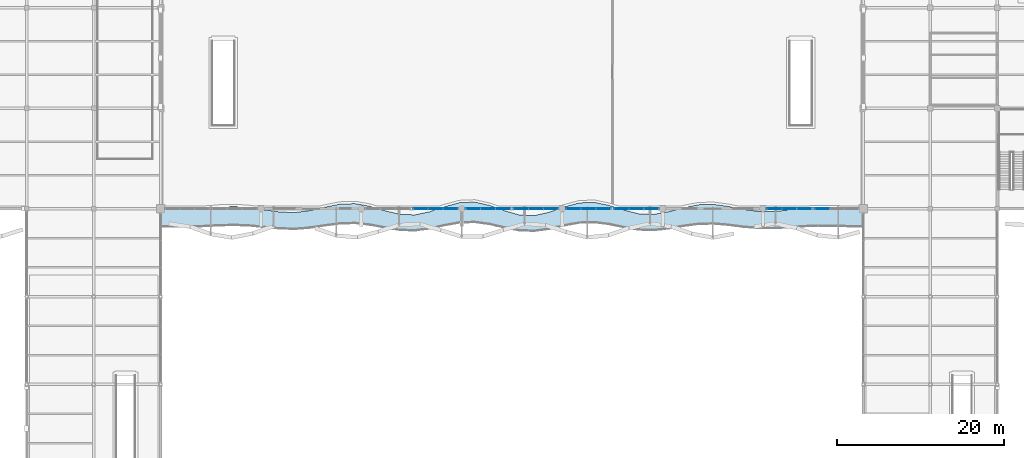
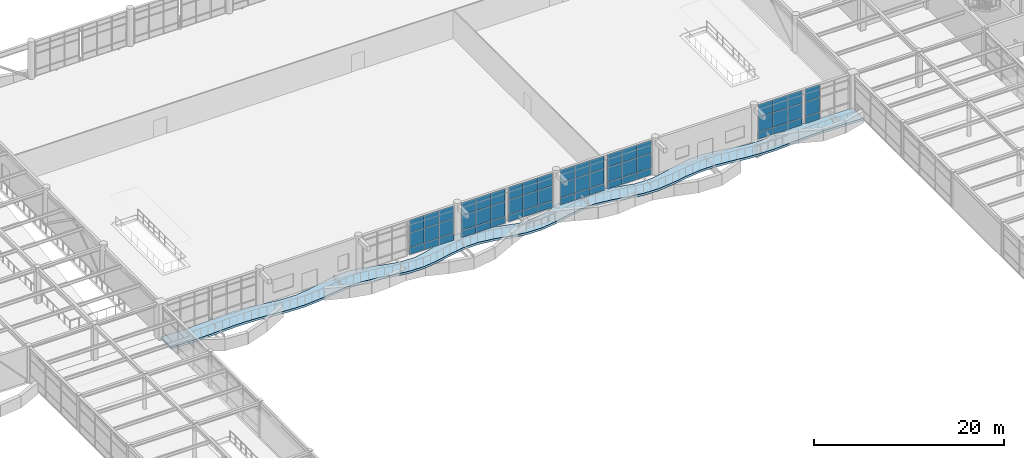
# One storey, part 37 of 72: 57 plates, 1 slab, 7 elements without a shape of their own.
"""IFC4 building model written with IfcOpenShell, lengths in metres."""

from ifc_helpers import new_model, si_unit, direction, frame, origin, origin_2d, place, context, subcontext, project, spatial, polyline, rectangle, outline, extrude, material, layer, layer_set, type_object, element, aggregate, save


model = new_model("IFC4")

# Units and contexts
model_context = context("Model", 3, precision=1e-05, world=origin(), true_north=direction((0.0, 1.0)))
body_context = subcontext(model_context, "Body", "Model", "MODEL_VIEW")
ifc_project = project(units=[si_unit("LENGTHUNIT", "METRE"), si_unit("AREAUNIT", "SQUARE_METRE"), si_unit("VOLUMEUNIT", "CUBIC_METRE"), si_unit("PLANEANGLEUNIT", "RADIAN"), si_unit("MASSUNIT", "GRAM", prefix="KILO")], contexts=[model_context])

# Site, building, storey
site_placement = place(None, origin())
site = spatial("IfcSite", under=ifc_project, at=site_placement, CompositionType="ELEMENT")
building_placement = place(site_placement, origin())
building = spatial("IfcBuilding", under=site, at=building_placement, Name="Keelwater Ferry Terminal", CompositionType="ELEMENT")
storey_placement = place(building_placement, frame((0.0, 0.0, 5.39990234375)))
storey = spatial("IfcBuildingStorey", under=building, at=storey_placement, Name="L01", CompositionType="ELEMENT", Elevation=5.39990234375)

# Curtain wall, plates
ifc_material_1 = material(Name="Thermally broken unitised aluminium and triple glass", Category="aluminium")
ifc_layer_1 = layer(ifc_material_1, 0.179931640625)
ifc_layer_set_1 = layer_set([ifc_layer_1], Name="Thermally broken unitised aluminium and triple glass")
curtain_wall_type_1 = type_object("IfcCurtainWallType", Name="CW-02 Unitised Curtain Wall 5330x4450", PredefinedType="USERDEFINED", material=ifc_layer_set_1)
curtain_wall_1_placement = place(storey_placement, origin())
curtain_wall_1 = element("IfcCurtainWall", 1, at=curtain_wall_1_placement, inside=storey, type_object=curtain_wall_type_1, Name="Unitised Curtain Wall CW-L01-004", ObjectType="UNITISED CURTAIN WALL", PredefinedType="USERDEFINED")
ifc_material_2 = material(Name="Insulated white cassette spandrel", Category="aluminium")
ifc_layer_2 = layer(ifc_material_2, 0.094970703125)
ifc_layer_set_2 = layer_set([ifc_layer_2], Name="Insulated white cassette spandrel")
plate_type_1 = type_object("IfcPlateType", Name="CWP-S2 Insulated Spandrel Panel 95", PredefinedType="CURTAIN_PANEL", material=ifc_layer_set_2)
plate_1_placement = place(storey_placement, frame((79.083251953125, 42.0, 0.000244140625), z_axis=(0.0, 0.0, 1.0), x_axis=(1.0, 0.0, 0.0)))
plate_1 = element("IfcPlate", 2, at=plate_1_placement, type_object=plate_type_1, Name="CW-L01-004 Panel 1.1", PredefinedType="CURTAIN_PANEL", context=body_context, shape_type="SweptSolid", body=[
    extrude(rectangle(XDim=1.776611328125, YDim=0.094970703125, at=origin_2d()), origin(), (0.0, 0.0, 1.0), 0.89990234375),
])
plate_2_placement = place(storey_placement, frame((80.860107421875, 42.0, 0.000244140625), z_axis=(0.0, 0.0, 1.0), x_axis=(1.0, 0.0, 0.0)))
plate_2 = element("IfcPlate", 3, at=plate_2_placement, type_object=plate_type_1, Name="CW-L01-004 Panel 2.1", PredefinedType="CURTAIN_PANEL", context=body_context, shape_type="SweptSolid", body=[
    extrude(rectangle(XDim=1.776611328125, YDim=0.094970703125, at=origin_2d()), origin(), (0.0, 0.0, 1.0), 0.89990234375),
])
plate_3_placement = place(storey_placement, frame((82.63671875, 42.0, 0.000244140625), z_axis=(0.0, 0.0, 1.0), x_axis=(1.0, 0.0, 0.0)))
plate_3 = element("IfcPlate", 4, at=plate_3_placement, type_object=plate_type_1, Name="CW-L01-004 Panel 3.1", PredefinedType="CURTAIN_PANEL", context=body_context, shape_type="SweptSolid", body=[
    extrude(rectangle(XDim=1.776611328125, YDim=0.094970703125, at=origin_2d()), origin(), (0.0, 0.0, 1.0), 0.89990234375),
])

curtain_wall_2_placement = place(storey_placement, origin())
curtain_wall_2 = element("IfcCurtainWall", 5, at=curtain_wall_2_placement, inside=storey, type_object=curtain_wall_type_1, Name="Unitised Curtain Wall CW-L01-005", ObjectType="UNITISED CURTAIN WALL", PredefinedType="USERDEFINED")
plate_4_placement = place(storey_placement, frame((85.36328125, 42.0, 0.000244140625), z_axis=(0.0, 0.0, 1.0), x_axis=(1.0, 0.0, 0.0)))
plate_4 = element("IfcPlate", 6, at=plate_4_placement, type_object=plate_type_1, Name="CW-L01-005 Panel 1.1", PredefinedType="CURTAIN_PANEL", context=body_context, shape_type="SweptSolid", body=[
    extrude(rectangle(XDim=1.776611328125, YDim=0.094970703125, at=origin_2d()), origin(), (0.0, 0.0, 1.0), 0.89990234375),
])
plate_5_placement = place(storey_placement, frame((87.139892578125, 42.0, 0.000244140625), z_axis=(0.0, 0.0, 1.0), x_axis=(1.0, 0.0, 0.0)))
plate_5 = element("IfcPlate", 7, at=plate_5_placement, type_object=plate_type_1, Name="CW-L01-005 Panel 2.1", PredefinedType="CURTAIN_PANEL", context=body_context, shape_type="SweptSolid", body=[
    extrude(rectangle(XDim=1.776611328125, YDim=0.094970703125, at=origin_2d()), origin(), (0.0, 0.0, 1.0), 0.89990234375),
])
plate_6_placement = place(storey_placement, frame((88.916748046875, 42.0, 0.000244140625), z_axis=(0.0, 0.0, 1.0), x_axis=(1.0, 0.0, 0.0)))
plate_6 = element("IfcPlate", 8, at=plate_6_placement, type_object=plate_type_1, Name="CW-L01-005 Panel 3.1", PredefinedType="CURTAIN_PANEL", context=body_context, shape_type="SweptSolid", body=[
    extrude(rectangle(XDim=1.776611328125, YDim=0.094970703125, at=origin_2d()), origin(), (0.0, 0.0, 1.0), 0.89990234375),
])

curtain_wall_3_placement = place(storey_placement, origin())
curtain_wall_3 = element("IfcCurtainWall", 9, at=curtain_wall_3_placement, inside=storey, type_object=curtain_wall_type_1, Name="Unitised Curtain Wall CW-L01-006", ObjectType="UNITISED CURTAIN WALL", PredefinedType="USERDEFINED")
plate_7_placement = place(storey_placement, frame((91.083251953125, 42.0, 0.000244140625), z_axis=(0.0, 0.0, 1.0), x_axis=(1.0, 0.0, 0.0)))
plate_7 = element("IfcPlate", 10, at=plate_7_placement, type_object=plate_type_1, Name="CW-L01-006 Panel 1.1", PredefinedType="CURTAIN_PANEL", context=body_context, shape_type="SweptSolid", body=[
    extrude(rectangle(XDim=1.776611328125, YDim=0.094970703125, at=origin_2d()), origin(), (0.0, 0.0, 1.0), 0.89990234375),
])
plate_8_placement = place(storey_placement, frame((92.860107421875, 42.0, 0.000244140625), z_axis=(0.0, 0.0, 1.0), x_axis=(1.0, 0.0, 0.0)))
plate_8 = element("IfcPlate", 11, at=plate_8_placement, type_object=plate_type_1, Name="CW-L01-006 Panel 2.1", PredefinedType="CURTAIN_PANEL", context=body_context, shape_type="SweptSolid", body=[
    extrude(rectangle(XDim=1.776611328125, YDim=0.094970703125, at=origin_2d()), origin(), (0.0, 0.0, 1.0), 0.89990234375),
])
plate_9_placement = place(storey_placement, frame((94.63671875, 42.0, 0.000244140625), z_axis=(0.0, 0.0, 1.0), x_axis=(1.0, 0.0, 0.0)))
plate_9 = element("IfcPlate", 12, at=plate_9_placement, type_object=plate_type_1, Name="CW-L01-006 Panel 3.1", PredefinedType="CURTAIN_PANEL", context=body_context, shape_type="SweptSolid", body=[
    extrude(rectangle(XDim=1.776611328125, YDim=0.094970703125, at=origin_2d()), origin(), (0.0, 0.0, 1.0), 0.89990234375),
])

curtain_wall_4_placement = place(storey_placement, origin())
curtain_wall_4 = element("IfcCurtainWall", 13, at=curtain_wall_4_placement, inside=storey, type_object=curtain_wall_type_1, Name="Unitised Curtain Wall CW-L01-007", ObjectType="UNITISED CURTAIN WALL", PredefinedType="USERDEFINED")
plate_10_placement = place(storey_placement, frame((97.36328125, 42.0, 0.000244140625), z_axis=(0.0, 0.0, 1.0), x_axis=(1.0, 0.0, 0.0)))
plate_10 = element("IfcPlate", 14, at=plate_10_placement, type_object=plate_type_1, Name="CW-L01-007 Panel 1.1", PredefinedType="CURTAIN_PANEL", context=body_context, shape_type="SweptSolid", body=[
    extrude(rectangle(XDim=1.776611328125, YDim=0.094970703125, at=origin_2d()), origin(), (0.0, 0.0, 1.0), 0.89990234375),
])
plate_11_placement = place(storey_placement, frame((99.139892578125, 42.0, 0.000244140625), z_axis=(0.0, 0.0, 1.0), x_axis=(1.0, 0.0, 0.0)))
plate_11 = element("IfcPlate", 15, at=plate_11_placement, type_object=plate_type_1, Name="CW-L01-007 Panel 2.1", PredefinedType="CURTAIN_PANEL", context=body_context, shape_type="SweptSolid", body=[
    extrude(rectangle(XDim=1.776611328125, YDim=0.094970703125, at=origin_2d()), origin(), (0.0, 0.0, 1.0), 0.89990234375),
])
plate_12_placement = place(storey_placement, frame((100.916748046875, 42.0, 0.000244140625), z_axis=(0.0, 0.0, 1.0), x_axis=(1.0, 0.0, 0.0)))
plate_12 = element("IfcPlate", 16, at=plate_12_placement, type_object=plate_type_1, Name="CW-L01-007 Panel 3.1", PredefinedType="CURTAIN_PANEL", context=body_context, shape_type="SweptSolid", body=[
    extrude(rectangle(XDim=1.776611328125, YDim=0.094970703125, at=origin_2d()), origin(), (0.0, 0.0, 1.0), 0.89990234375),
])

curtain_wall_5_placement = place(storey_placement, origin())
curtain_wall_5 = element("IfcCurtainWall", 17, at=curtain_wall_5_placement, inside=storey, type_object=curtain_wall_type_1, Name="Unitised Curtain Wall CW-L01-008", ObjectType="UNITISED CURTAIN WALL", PredefinedType="USERDEFINED")
plate_13_placement = place(storey_placement, frame((103.083251953125, 42.0, 0.000244140625), z_axis=(0.0, 0.0, 1.0), x_axis=(1.0, 0.0, 0.0)))
plate_13 = element("IfcPlate", 18, at=plate_13_placement, type_object=plate_type_1, Name="CW-L01-008 Panel 1.1", PredefinedType="CURTAIN_PANEL", context=body_context, shape_type="SweptSolid", body=[
    extrude(rectangle(XDim=1.776611328125, YDim=0.094970703125, at=origin_2d()), origin(), (0.0, 0.0, 1.0), 0.89990234375),
])
plate_14_placement = place(storey_placement, frame((104.860107421875, 42.0, 0.000244140625), z_axis=(0.0, 0.0, 1.0), x_axis=(1.0, 0.0, 0.0)))
plate_14 = element("IfcPlate", 19, at=plate_14_placement, type_object=plate_type_1, Name="CW-L01-008 Panel 2.1", PredefinedType="CURTAIN_PANEL", context=body_context, shape_type="SweptSolid", body=[
    extrude(rectangle(XDim=1.776611328125, YDim=0.094970703125, at=origin_2d()), origin(), (0.0, 0.0, 1.0), 0.89990234375),
])
plate_15_placement = place(storey_placement, frame((106.63671875, 42.0, 0.000244140625), z_axis=(0.0, 0.0, 1.0), x_axis=(1.0, 0.0, 0.0)))
plate_15 = element("IfcPlate", 20, at=plate_15_placement, type_object=plate_type_1, Name="CW-L01-008 Panel 3.1", PredefinedType="CURTAIN_PANEL", context=body_context, shape_type="SweptSolid", body=[
    extrude(rectangle(XDim=1.776611328125, YDim=0.094970703125, at=origin_2d()), origin(), (0.0, 0.0, 1.0), 0.89990234375),
])

curtain_wall_6_placement = place(storey_placement, origin())
curtain_wall_6 = element("IfcCurtainWall", 21, at=curtain_wall_6_placement, inside=storey, type_object=curtain_wall_type_1, Name="Unitised Curtain Wall CW-L01-009", ObjectType="UNITISED CURTAIN WALL", PredefinedType="USERDEFINED")
plate_16_placement = place(storey_placement, frame((121.36328125, 42.0, 0.000244140625), z_axis=(0.0, 0.0, 1.0), x_axis=(1.0, 0.0, 0.0)))
plate_16 = element("IfcPlate", 22, at=plate_16_placement, type_object=plate_type_1, Name="CW-L01-009 Panel 1.1", PredefinedType="CURTAIN_PANEL", context=body_context, shape_type="SweptSolid", body=[
    extrude(rectangle(XDim=1.776611328125, YDim=0.094970703125, at=origin_2d()), origin(), (0.0, 0.0, 1.0), 0.89990234375),
])
plate_17_placement = place(storey_placement, frame((123.139892578125, 42.0, 0.000244140625), z_axis=(0.0, 0.0, 1.0), x_axis=(1.0, 0.0, 0.0)))
plate_17 = element("IfcPlate", 23, at=plate_17_placement, type_object=plate_type_1, Name="CW-L01-009 Panel 2.1", PredefinedType="CURTAIN_PANEL", context=body_context, shape_type="SweptSolid", body=[
    extrude(rectangle(XDim=1.776611328125, YDim=0.094970703125, at=origin_2d()), origin(), (0.0, 0.0, 1.0), 0.89990234375),
])
plate_18_placement = place(storey_placement, frame((124.916748046875, 42.0, 0.000244140625), z_axis=(0.0, 0.0, 1.0), x_axis=(1.0, 0.0, 0.0)))
plate_18 = element("IfcPlate", 24, at=plate_18_placement, type_object=plate_type_1, Name="CW-L01-009 Panel 3.1", PredefinedType="CURTAIN_PANEL", context=body_context, shape_type="SweptSolid", body=[
    extrude(rectangle(XDim=1.776611328125, YDim=0.094970703125, at=origin_2d()), origin(), (0.0, 0.0, 1.0), 0.89990234375),
])

# Curtain wall, plate
ifc_material_3 = material(Name="Thermally broken unitised aluminium and triple glass", Category="aluminium")
ifc_layer_3 = layer(ifc_material_3, 0.179931640625)
ifc_layer_set_3 = layer_set([ifc_layer_3], Name="Thermally broken unitised aluminium and triple glass")
curtain_wall_type_2 = type_object("IfcCurtainWallType", Name="CW-01 Unitised Curtain Wall 5230x4450", PredefinedType="USERDEFINED", material=ifc_layer_set_3)
curtain_wall_7_placement = place(storey_placement, origin())
curtain_wall_7 = element("IfcCurtainWall", 25, at=curtain_wall_7_placement, inside=storey, type_object=curtain_wall_type_2, Name="Unitised Curtain Wall CW-L01-010", ObjectType="UNITISED CURTAIN WALL", PredefinedType="USERDEFINED")
plate_19_placement = place(storey_placement, frame((127.066650390625, 42.0, 0.000244140625), z_axis=(0.0, 0.0, 1.0), x_axis=(1.0, 0.0, 0.0)))
plate_19 = element("IfcPlate", 26, at=plate_19_placement, type_object=plate_type_1, Name="CW-L01-010 Panel 1.1", PredefinedType="CURTAIN_PANEL", context=body_context, shape_type="SweptSolid", body=[
    extrude(rectangle(XDim=1.743408203125, YDim=0.094970703125, at=origin_2d()), origin(), (0.0, 0.0, 1.0), 0.89990234375),
])

# Plate
ifc_material_4 = material(Name="Triple low-E laminated glass", Category="glass")
ifc_layer_4 = layer(ifc_material_4, 0.035888671875)
ifc_layer_set_4 = layer_set([ifc_layer_4], Name="Triple low-E laminated glass")
plate_type_2 = type_object("IfcPlateType", Name="CWP-V1 Glazed Vision Panel 36", PredefinedType="CURTAIN_PANEL", material=ifc_layer_set_4)
plate_20_placement = place(storey_placement, frame((79.083251953125, 42.0, 0.900146484375), z_axis=(0.0, 0.0, 1.0), x_axis=(1.0, 0.0, 0.0)))
plate_20 = element("IfcPlate", 27, at=plate_20_placement, type_object=plate_type_2, Name="CW-L01-004 Panel 1.2", PredefinedType="CURTAIN_PANEL", context=body_context, shape_type="SweptSolid", body=[
    extrude(rectangle(XDim=1.776611328125, YDim=0.035888671875, at=origin_2d()), origin(), (0.0, 0.0, 1.0), 1.89990234375),
])

plate_21_placement = place(storey_placement, frame((79.083251953125, 42.0, 2.800048828125), z_axis=(0.0, 0.0, 1.0), x_axis=(1.0, 0.0, 0.0)))
plate_21 = element("IfcPlate", 28, at=plate_21_placement, type_object=plate_type_2, Name="CW-L01-004 Panel 1.3", PredefinedType="CURTAIN_PANEL", context=body_context, shape_type="SweptSolid", body=[
    extrude(rectangle(XDim=1.776611328125, YDim=0.035888671875, at=origin_2d()), origin(), (0.0, 0.0, 1.0), 1.64990234375),
])

plate_22_placement = place(storey_placement, frame((80.860107421875, 42.0, 0.900146484375), z_axis=(0.0, 0.0, 1.0), x_axis=(1.0, 0.0, 0.0)))
plate_22 = element("IfcPlate", 29, at=plate_22_placement, type_object=plate_type_2, Name="CW-L01-004 Panel 2.2", PredefinedType="CURTAIN_PANEL", context=body_context, shape_type="SweptSolid", body=[
    extrude(rectangle(XDim=1.776611328125, YDim=0.035888671875, at=origin_2d()), origin(), (0.0, 0.0, 1.0), 1.89990234375),
])

plate_23_placement = place(storey_placement, frame((80.860107421875, 42.0, 2.800048828125), z_axis=(0.0, 0.0, 1.0), x_axis=(1.0, 0.0, 0.0)))
plate_23 = element("IfcPlate", 30, at=plate_23_placement, type_object=plate_type_2, Name="CW-L01-004 Panel 2.3", PredefinedType="CURTAIN_PANEL", context=body_context, shape_type="SweptSolid", body=[
    extrude(rectangle(XDim=1.776611328125, YDim=0.035888671875, at=origin_2d()), origin(), (0.0, 0.0, 1.0), 1.64990234375),
])

plate_24_placement = place(storey_placement, frame((82.63671875, 42.0, 0.900146484375), z_axis=(0.0, 0.0, 1.0), x_axis=(1.0, 0.0, 0.0)))
plate_24 = element("IfcPlate", 31, at=plate_24_placement, type_object=plate_type_2, Name="CW-L01-004 Panel 3.2", PredefinedType="CURTAIN_PANEL", context=body_context, shape_type="SweptSolid", body=[
    extrude(rectangle(XDim=1.776611328125, YDim=0.035888671875, at=origin_2d()), origin(), (0.0, 0.0, 1.0), 1.89990234375),
])

plate_25_placement = place(storey_placement, frame((82.63671875, 42.0, 2.800048828125), z_axis=(0.0, 0.0, 1.0), x_axis=(1.0, 0.0, 0.0)))
plate_25 = element("IfcPlate", 32, at=plate_25_placement, type_object=plate_type_2, Name="CW-L01-004 Panel 3.3", PredefinedType="CURTAIN_PANEL", context=body_context, shape_type="SweptSolid", body=[
    extrude(rectangle(XDim=1.776611328125, YDim=0.035888671875, at=origin_2d()), origin(), (0.0, 0.0, 1.0), 1.64990234375),
])

aggregate(curtain_wall_1, [plate_1, plate_20, plate_21, plate_2, plate_22, plate_23, plate_3, plate_24, plate_25])

plate_26_placement = place(storey_placement, frame((85.36328125, 42.0, 0.900146484375), z_axis=(0.0, 0.0, 1.0), x_axis=(1.0, 0.0, 0.0)))
plate_26 = element("IfcPlate", 33, at=plate_26_placement, type_object=plate_type_2, Name="CW-L01-005 Panel 1.2", PredefinedType="CURTAIN_PANEL", context=body_context, shape_type="SweptSolid", body=[
    extrude(rectangle(XDim=1.776611328125, YDim=0.035888671875, at=origin_2d()), origin(), (0.0, 0.0, 1.0), 1.89990234375),
])

plate_27_placement = place(storey_placement, frame((85.36328125, 42.0, 2.800048828125), z_axis=(0.0, 0.0, 1.0), x_axis=(1.0, 0.0, 0.0)))
plate_27 = element("IfcPlate", 34, at=plate_27_placement, type_object=plate_type_2, Name="CW-L01-005 Panel 1.3", PredefinedType="CURTAIN_PANEL", context=body_context, shape_type="SweptSolid", body=[
    extrude(rectangle(XDim=1.776611328125, YDim=0.035888671875, at=origin_2d()), origin(), (0.0, 0.0, 1.0), 1.64990234375),
])

plate_28_placement = place(storey_placement, frame((87.139892578125, 42.0, 0.900146484375), z_axis=(0.0, 0.0, 1.0), x_axis=(1.0, 0.0, 0.0)))
plate_28 = element("IfcPlate", 35, at=plate_28_placement, type_object=plate_type_2, Name="CW-L01-005 Panel 2.2", PredefinedType="CURTAIN_PANEL", context=body_context, shape_type="SweptSolid", body=[
    extrude(rectangle(XDim=1.776611328125, YDim=0.035888671875, at=origin_2d()), origin(), (0.0, 0.0, 1.0), 1.89990234375),
])

plate_29_placement = place(storey_placement, frame((87.139892578125, 42.0, 2.800048828125), z_axis=(0.0, 0.0, 1.0), x_axis=(1.0, 0.0, 0.0)))
plate_29 = element("IfcPlate", 36, at=plate_29_placement, type_object=plate_type_2, Name="CW-L01-005 Panel 2.3", PredefinedType="CURTAIN_PANEL", context=body_context, shape_type="SweptSolid", body=[
    extrude(rectangle(XDim=1.776611328125, YDim=0.035888671875, at=origin_2d()), origin(), (0.0, 0.0, 1.0), 1.64990234375),
])

plate_30_placement = place(storey_placement, frame((88.916748046875, 42.0, 0.900146484375), z_axis=(0.0, 0.0, 1.0), x_axis=(1.0, 0.0, 0.0)))
plate_30 = element("IfcPlate", 37, at=plate_30_placement, type_object=plate_type_2, Name="CW-L01-005 Panel 3.2", PredefinedType="CURTAIN_PANEL", context=body_context, shape_type="SweptSolid", body=[
    extrude(rectangle(XDim=1.776611328125, YDim=0.035888671875, at=origin_2d()), origin(), (0.0, 0.0, 1.0), 1.89990234375),
])

plate_31_placement = place(storey_placement, frame((88.916748046875, 42.0, 2.800048828125), z_axis=(0.0, 0.0, 1.0), x_axis=(1.0, 0.0, 0.0)))
plate_31 = element("IfcPlate", 38, at=plate_31_placement, type_object=plate_type_2, Name="CW-L01-005 Panel 3.3", PredefinedType="CURTAIN_PANEL", context=body_context, shape_type="SweptSolid", body=[
    extrude(rectangle(XDim=1.776611328125, YDim=0.035888671875, at=origin_2d()), origin(), (0.0, 0.0, 1.0), 1.64990234375),
])

aggregate(curtain_wall_2, [plate_4, plate_26, plate_27, plate_5, plate_28, plate_29, plate_6, plate_30, plate_31])

plate_32_placement = place(storey_placement, frame((91.083251953125, 42.0, 0.900146484375), z_axis=(0.0, 0.0, 1.0), x_axis=(1.0, 0.0, 0.0)))
plate_32 = element("IfcPlate", 39, at=plate_32_placement, type_object=plate_type_2, Name="CW-L01-006 Panel 1.2", PredefinedType="CURTAIN_PANEL", context=body_context, shape_type="SweptSolid", body=[
    extrude(rectangle(XDim=1.776611328125, YDim=0.035888671875, at=origin_2d()), origin(), (0.0, 0.0, 1.0), 1.89990234375),
])

plate_33_placement = place(storey_placement, frame((91.083251953125, 42.0, 2.800048828125), z_axis=(0.0, 0.0, 1.0), x_axis=(1.0, 0.0, 0.0)))
plate_33 = element("IfcPlate", 40, at=plate_33_placement, type_object=plate_type_2, Name="CW-L01-006 Panel 1.3", PredefinedType="CURTAIN_PANEL", context=body_context, shape_type="SweptSolid", body=[
    extrude(rectangle(XDim=1.776611328125, YDim=0.035888671875, at=origin_2d()), origin(), (0.0, 0.0, 1.0), 1.64990234375),
])

plate_34_placement = place(storey_placement, frame((92.860107421875, 42.0, 0.900146484375), z_axis=(0.0, 0.0, 1.0), x_axis=(1.0, 0.0, 0.0)))
plate_34 = element("IfcPlate", 41, at=plate_34_placement, type_object=plate_type_2, Name="CW-L01-006 Panel 2.2", PredefinedType="CURTAIN_PANEL", context=body_context, shape_type="SweptSolid", body=[
    extrude(rectangle(XDim=1.776611328125, YDim=0.035888671875, at=origin_2d()), origin(), (0.0, 0.0, 1.0), 1.89990234375),
])

plate_35_placement = place(storey_placement, frame((92.860107421875, 42.0, 2.800048828125), z_axis=(0.0, 0.0, 1.0), x_axis=(1.0, 0.0, 0.0)))
plate_35 = element("IfcPlate", 42, at=plate_35_placement, type_object=plate_type_2, Name="CW-L01-006 Panel 2.3", PredefinedType="CURTAIN_PANEL", context=body_context, shape_type="SweptSolid", body=[
    extrude(rectangle(XDim=1.776611328125, YDim=0.035888671875, at=origin_2d()), origin(), (0.0, 0.0, 1.0), 1.64990234375),
])

plate_36_placement = place(storey_placement, frame((94.63671875, 42.0, 0.900146484375), z_axis=(0.0, 0.0, 1.0), x_axis=(1.0, 0.0, 0.0)))
plate_36 = element("IfcPlate", 43, at=plate_36_placement, type_object=plate_type_2, Name="CW-L01-006 Panel 3.2", PredefinedType="CURTAIN_PANEL", context=body_context, shape_type="SweptSolid", body=[
    extrude(rectangle(XDim=1.776611328125, YDim=0.035888671875, at=origin_2d()), origin(), (0.0, 0.0, 1.0), 1.89990234375),
])

plate_37_placement = place(storey_placement, frame((94.63671875, 42.0, 2.800048828125), z_axis=(0.0, 0.0, 1.0), x_axis=(1.0, 0.0, 0.0)))
plate_37 = element("IfcPlate", 44, at=plate_37_placement, type_object=plate_type_2, Name="CW-L01-006 Panel 3.3", PredefinedType="CURTAIN_PANEL", context=body_context, shape_type="SweptSolid", body=[
    extrude(rectangle(XDim=1.776611328125, YDim=0.035888671875, at=origin_2d()), origin(), (0.0, 0.0, 1.0), 1.64990234375),
])

aggregate(curtain_wall_3, [plate_7, plate_32, plate_33, plate_8, plate_34, plate_35, plate_9, plate_36, plate_37])

plate_38_placement = place(storey_placement, frame((97.36328125, 42.0, 0.900146484375), z_axis=(0.0, 0.0, 1.0), x_axis=(1.0, 0.0, 0.0)))
plate_38 = element("IfcPlate", 45, at=plate_38_placement, type_object=plate_type_2, Name="CW-L01-007 Panel 1.2", PredefinedType="CURTAIN_PANEL", context=body_context, shape_type="SweptSolid", body=[
    extrude(rectangle(XDim=1.776611328125, YDim=0.035888671875, at=origin_2d()), origin(), (0.0, 0.0, 1.0), 1.89990234375),
])

plate_39_placement = place(storey_placement, frame((97.36328125, 42.0, 2.800048828125), z_axis=(0.0, 0.0, 1.0), x_axis=(1.0, 0.0, 0.0)))
plate_39 = element("IfcPlate", 46, at=plate_39_placement, type_object=plate_type_2, Name="CW-L01-007 Panel 1.3", PredefinedType="CURTAIN_PANEL", context=body_context, shape_type="SweptSolid", body=[
    extrude(rectangle(XDim=1.776611328125, YDim=0.035888671875, at=origin_2d()), origin(), (0.0, 0.0, 1.0), 1.64990234375),
])

plate_40_placement = place(storey_placement, frame((99.139892578125, 42.0, 0.900146484375), z_axis=(0.0, 0.0, 1.0), x_axis=(1.0, 0.0, 0.0)))
plate_40 = element("IfcPlate", 47, at=plate_40_placement, type_object=plate_type_2, Name="CW-L01-007 Panel 2.2", PredefinedType="CURTAIN_PANEL", context=body_context, shape_type="SweptSolid", body=[
    extrude(rectangle(XDim=1.776611328125, YDim=0.035888671875, at=origin_2d()), origin(), (0.0, 0.0, 1.0), 1.89990234375),
])

plate_41_placement = place(storey_placement, frame((99.139892578125, 42.0, 2.800048828125), z_axis=(0.0, 0.0, 1.0), x_axis=(1.0, 0.0, 0.0)))
plate_41 = element("IfcPlate", 48, at=plate_41_placement, type_object=plate_type_2, Name="CW-L01-007 Panel 2.3", PredefinedType="CURTAIN_PANEL", context=body_context, shape_type="SweptSolid", body=[
    extrude(rectangle(XDim=1.776611328125, YDim=0.035888671875, at=origin_2d()), origin(), (0.0, 0.0, 1.0), 1.64990234375),
])

plate_42_placement = place(storey_placement, frame((100.916748046875, 42.0, 0.900146484375), z_axis=(0.0, 0.0, 1.0), x_axis=(1.0, 0.0, 0.0)))
plate_42 = element("IfcPlate", 49, at=plate_42_placement, type_object=plate_type_2, Name="CW-L01-007 Panel 3.2", PredefinedType="CURTAIN_PANEL", context=body_context, shape_type="SweptSolid", body=[
    extrude(rectangle(XDim=1.776611328125, YDim=0.035888671875, at=origin_2d()), origin(), (0.0, 0.0, 1.0), 1.89990234375),
])

plate_43_placement = place(storey_placement, frame((100.916748046875, 42.0, 2.800048828125), z_axis=(0.0, 0.0, 1.0), x_axis=(1.0, 0.0, 0.0)))
plate_43 = element("IfcPlate", 50, at=plate_43_placement, type_object=plate_type_2, Name="CW-L01-007 Panel 3.3", PredefinedType="CURTAIN_PANEL", context=body_context, shape_type="SweptSolid", body=[
    extrude(rectangle(XDim=1.776611328125, YDim=0.035888671875, at=origin_2d()), origin(), (0.0, 0.0, 1.0), 1.64990234375),
])

aggregate(curtain_wall_4, [plate_10, plate_38, plate_39, plate_11, plate_40, plate_41, plate_12, plate_42, plate_43])

plate_44_placement = place(storey_placement, frame((103.083251953125, 42.0, 0.900146484375), z_axis=(0.0, 0.0, 1.0), x_axis=(1.0, 0.0, 0.0)))
plate_44 = element("IfcPlate", 51, at=plate_44_placement, type_object=plate_type_2, Name="CW-L01-008 Panel 1.2", PredefinedType="CURTAIN_PANEL", context=body_context, shape_type="SweptSolid", body=[
    extrude(rectangle(XDim=1.776611328125, YDim=0.035888671875, at=origin_2d()), origin(), (0.0, 0.0, 1.0), 1.89990234375),
])

plate_45_placement = place(storey_placement, frame((103.083251953125, 42.0, 2.800048828125), z_axis=(0.0, 0.0, 1.0), x_axis=(1.0, 0.0, 0.0)))
plate_45 = element("IfcPlate", 52, at=plate_45_placement, type_object=plate_type_2, Name="CW-L01-008 Panel 1.3", PredefinedType="CURTAIN_PANEL", context=body_context, shape_type="SweptSolid", body=[
    extrude(rectangle(XDim=1.776611328125, YDim=0.035888671875, at=origin_2d()), origin(), (0.0, 0.0, 1.0), 1.64990234375),
])

plate_46_placement = place(storey_placement, frame((104.860107421875, 42.0, 0.900146484375), z_axis=(0.0, 0.0, 1.0), x_axis=(1.0, 0.0, 0.0)))
plate_46 = element("IfcPlate", 53, at=plate_46_placement, type_object=plate_type_2, Name="CW-L01-008 Panel 2.2", PredefinedType="CURTAIN_PANEL", context=body_context, shape_type="SweptSolid", body=[
    extrude(rectangle(XDim=1.776611328125, YDim=0.035888671875, at=origin_2d()), origin(), (0.0, 0.0, 1.0), 1.89990234375),
])

plate_47_placement = place(storey_placement, frame((104.860107421875, 42.0, 2.800048828125), z_axis=(0.0, 0.0, 1.0), x_axis=(1.0, 0.0, 0.0)))
plate_47 = element("IfcPlate", 54, at=plate_47_placement, type_object=plate_type_2, Name="CW-L01-008 Panel 2.3", PredefinedType="CURTAIN_PANEL", context=body_context, shape_type="SweptSolid", body=[
    extrude(rectangle(XDim=1.776611328125, YDim=0.035888671875, at=origin_2d()), origin(), (0.0, 0.0, 1.0), 1.64990234375),
])

plate_48_placement = place(storey_placement, frame((106.63671875, 42.0, 0.900146484375), z_axis=(0.0, 0.0, 1.0), x_axis=(1.0, 0.0, 0.0)))
plate_48 = element("IfcPlate", 55, at=plate_48_placement, type_object=plate_type_2, Name="CW-L01-008 Panel 3.2", PredefinedType="CURTAIN_PANEL", context=body_context, shape_type="SweptSolid", body=[
    extrude(rectangle(XDim=1.776611328125, YDim=0.035888671875, at=origin_2d()), origin(), (0.0, 0.0, 1.0), 1.89990234375),
])

plate_49_placement = place(storey_placement, frame((106.63671875, 42.0, 2.800048828125), z_axis=(0.0, 0.0, 1.0), x_axis=(1.0, 0.0, 0.0)))
plate_49 = element("IfcPlate", 56, at=plate_49_placement, type_object=plate_type_2, Name="CW-L01-008 Panel 3.3", PredefinedType="CURTAIN_PANEL", context=body_context, shape_type="SweptSolid", body=[
    extrude(rectangle(XDim=1.776611328125, YDim=0.035888671875, at=origin_2d()), origin(), (0.0, 0.0, 1.0), 1.64990234375),
])

aggregate(curtain_wall_5, [plate_13, plate_44, plate_45, plate_14, plate_46, plate_47, plate_15, plate_48, plate_49])

plate_50_placement = place(storey_placement, frame((121.36328125, 42.0, 0.900146484375), z_axis=(0.0, 0.0, 1.0), x_axis=(1.0, 0.0, 0.0)))
plate_50 = element("IfcPlate", 57, at=plate_50_placement, type_object=plate_type_2, Name="CW-L01-009 Panel 1.2", PredefinedType="CURTAIN_PANEL", context=body_context, shape_type="SweptSolid", body=[
    extrude(rectangle(XDim=1.776611328125, YDim=0.035888671875, at=origin_2d()), origin(), (0.0, 0.0, 1.0), 1.89990234375),
])

plate_51_placement = place(storey_placement, frame((121.36328125, 42.0, 2.800048828125), z_axis=(0.0, 0.0, 1.0), x_axis=(1.0, 0.0, 0.0)))
plate_51 = element("IfcPlate", 58, at=plate_51_placement, type_object=plate_type_2, Name="CW-L01-009 Panel 1.3", PredefinedType="CURTAIN_PANEL", context=body_context, shape_type="SweptSolid", body=[
    extrude(rectangle(XDim=1.776611328125, YDim=0.035888671875, at=origin_2d()), origin(), (0.0, 0.0, 1.0), 1.64990234375),
])

plate_52_placement = place(storey_placement, frame((123.139892578125, 42.0, 0.900146484375), z_axis=(0.0, 0.0, 1.0), x_axis=(1.0, 0.0, 0.0)))
plate_52 = element("IfcPlate", 59, at=plate_52_placement, type_object=plate_type_2, Name="CW-L01-009 Panel 2.2", PredefinedType="CURTAIN_PANEL", context=body_context, shape_type="SweptSolid", body=[
    extrude(rectangle(XDim=1.776611328125, YDim=0.035888671875, at=origin_2d()), origin(), (0.0, 0.0, 1.0), 1.89990234375),
])

plate_53_placement = place(storey_placement, frame((123.139892578125, 42.0, 2.800048828125), z_axis=(0.0, 0.0, 1.0), x_axis=(1.0, 0.0, 0.0)))
plate_53 = element("IfcPlate", 60, at=plate_53_placement, type_object=plate_type_2, Name="CW-L01-009 Panel 2.3", PredefinedType="CURTAIN_PANEL", context=body_context, shape_type="SweptSolid", body=[
    extrude(rectangle(XDim=1.776611328125, YDim=0.035888671875, at=origin_2d()), origin(), (0.0, 0.0, 1.0), 1.64990234375),
])

plate_54_placement = place(storey_placement, frame((124.916748046875, 42.0, 0.900146484375), z_axis=(0.0, 0.0, 1.0), x_axis=(1.0, 0.0, 0.0)))
plate_54 = element("IfcPlate", 61, at=plate_54_placement, type_object=plate_type_2, Name="CW-L01-009 Panel 3.2", PredefinedType="CURTAIN_PANEL", context=body_context, shape_type="SweptSolid", body=[
    extrude(rectangle(XDim=1.776611328125, YDim=0.035888671875, at=origin_2d()), origin(), (0.0, 0.0, 1.0), 1.89990234375),
])

plate_55_placement = place(storey_placement, frame((124.916748046875, 42.0, 2.800048828125), z_axis=(0.0, 0.0, 1.0), x_axis=(1.0, 0.0, 0.0)))
plate_55 = element("IfcPlate", 62, at=plate_55_placement, type_object=plate_type_2, Name="CW-L01-009 Panel 3.3", PredefinedType="CURTAIN_PANEL", context=body_context, shape_type="SweptSolid", body=[
    extrude(rectangle(XDim=1.776611328125, YDim=0.035888671875, at=origin_2d()), origin(), (0.0, 0.0, 1.0), 1.64990234375),
])

aggregate(curtain_wall_6, [plate_16, plate_50, plate_51, plate_17, plate_52, plate_53, plate_18, plate_54, plate_55])

plate_56_placement = place(storey_placement, frame((127.066650390625, 42.0, 0.900146484375), z_axis=(0.0, 0.0, 1.0), x_axis=(1.0, 0.0, 0.0)))
plate_56 = element("IfcPlate", 63, at=plate_56_placement, type_object=plate_type_2, Name="CW-L01-010 Panel 1.2", PredefinedType="CURTAIN_PANEL", context=body_context, shape_type="SweptSolid", body=[
    extrude(rectangle(XDim=1.743408203125, YDim=0.035888671875, at=origin_2d()), origin(), (0.0, 0.0, 1.0), 1.89990234375),
])

plate_57_placement = place(storey_placement, frame((127.066650390625, 42.0, 2.800048828125), z_axis=(0.0, 0.0, 1.0), x_axis=(1.0, 0.0, 0.0)))
plate_57 = element("IfcPlate", 64, at=plate_57_placement, type_object=plate_type_2, Name="CW-L01-010 Panel 1.3", PredefinedType="CURTAIN_PANEL", context=body_context, shape_type="SweptSolid", body=[
    extrude(rectangle(XDim=1.743408203125, YDim=0.035888671875, at=origin_2d()), origin(), (0.0, 0.0, 1.0), 1.64990234375),
])

aggregate(curtain_wall_7, [plate_19, plate_56, plate_57])

# Slab
ifc_material_5 = material(Name="Concrete C40/50", Category="concrete")
ifc_layer_5 = layer(ifc_material_5, 0.280029296875)
ifc_layer_set_5 = layer_set([ifc_layer_5], Name="Concrete C40/50")
slab_type = type_object("IfcSlabType", Name="SL-EX280 Outdoor Suspended Floor Slab 280", PredefinedType="FLOOR", material=ifc_layer_set_5)
slab_placement = place(storey_placement, frame((0.0, 0.0, -0.27978515625)))
element("IfcSlab", 65, at=slab_placement, inside=storey, type_object=slab_type, Name="L01 South Waterfront Quay Balcony SL-L01-034", PredefinedType="FLOOR", context=body_context, shape_type="SweptSolid", body=[
    extrude(outline(polyline([(48.0, 39.800048828125), (49.787109375, 39.76611328125), (51.573974609375, 39.77294921875), (53.362060546875, 39.842041015625), (55.14892578125, 39.93408203125), (56.93603515625, 39.967041015625), (58.722900390625, 39.884033203125), (60.510986328125, 39.708984375), (62.298095703125, 39.5439453125), (64.0849609375, 39.509033203125), (65.8720703125, 39.658935546875), (67.659912109375, 39.927978515625), (69.447021484375, 40.157958984375), (71.23388671875, 40.196044921875), (73.02099609375, 39.991943359375), (74.80908203125, 39.64892578125), (76.595947265625, 39.367919921875), (78.383056640625, 39.325927734375), (80.169921875, 39.56689453125), (81.95703125, 39.9599609375), (83.7451171875, 40.27392578125), (85.531982421875, 40.318115234375), (87.319091796875, 40.05908203125), (89.10595703125, 39.64501953125), (90.89404296875, 39.319091796875), (92.680908203125, 39.27294921875), (94.468017578125, 39.532958984375), (96.2548828125, 39.93994140625), (98.04296875, 40.25390625), (99.830078125, 40.297119140625), (101.616943359375, 40.055908203125), (103.404052734375, 39.68408203125), (105.19091796875, 39.405029296875), (106.97900390625, 39.368896484375), (108.76611328125, 39.576904296875), (110.552978515625, 39.885986328125), (112.340087890625, 40.110107421875), (114.1279296875, 40.133056640625), (115.9150390625, 39.970947265625), (117.701904296875, 39.7451171875), (119.489013671875, 39.593994140625), (121.277099609375, 39.589111328125), (123.06396484375, 39.697021484375), (124.85107421875, 39.824951171875), (126.637939453125, 39.888916015625), (128.426025390625, 39.8720703125), (130.212890625, 39.822021484375), (132.0, 39.800048828125), (132.0, 42.0), (130.212890625, 42.032958984375), (128.426025390625, 42.112060546875), (126.637939453125, 42.137939453125), (124.85107421875, 42.0390625), (123.06396484375, 41.841064453125), (121.277099609375, 41.674072265625), (119.489013671875, 41.681884765625), (117.701904296875, 41.9150390625), (115.9150390625, 42.264892578125), (114.1279296875, 42.514892578125), (112.340087890625, 42.47998046875), (110.552978515625, 42.133056640625), (108.76611328125, 41.655029296875), (106.97900390625, 41.333984375), (105.19091796875, 41.388916015625), (103.404052734375, 41.821044921875), (101.616943359375, 42.39501953125), (99.830078125, 42.76806640625), (98.04296875, 42.701904296875), (96.2548828125, 42.216064453125), (94.468017578125, 41.5869140625), (92.680908203125, 41.18603515625), (90.89404296875, 41.256103515625), (89.10595703125, 41.760009765625), (87.319091796875, 42.40087890625), (85.531982421875, 42.801025390625), (83.7451171875, 42.73291015625), (81.95703125, 42.2470703125), (80.169921875, 41.639892578125), (78.383056640625, 41.26806640625), (76.595947265625, 41.33203125), (74.80908203125, 41.76708984375), (73.02099609375, 42.297119140625), (71.23388671875, 42.611083984375), (69.447021484375, 42.552978515625), (67.659912109375, 42.197021484375), (65.8720703125, 41.781982421875), (64.0849609375, 41.551025390625), (62.298095703125, 41.60400390625), (60.510986328125, 41.85888671875), (58.722900390625, 42.131103515625), (56.93603515625, 42.258056640625), (55.14892578125, 42.20703125), (53.362060546875, 42.06591796875), (51.573974609375, 41.9580078125), (49.787109375, 41.947998046875), (48.0, 42.0), (48.0, 39.800048828125)])), origin(), (0.0, 0.0, 1.0), 0.27978515625),
])

save(model, "model.ifc")
